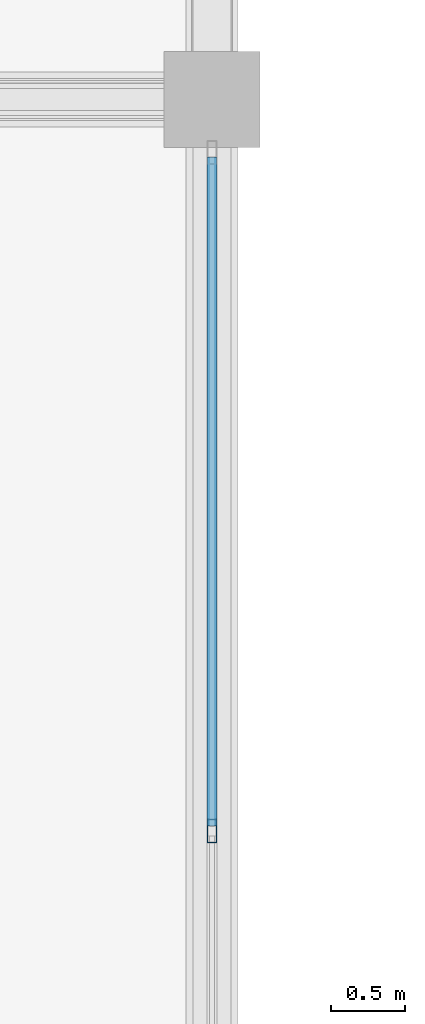
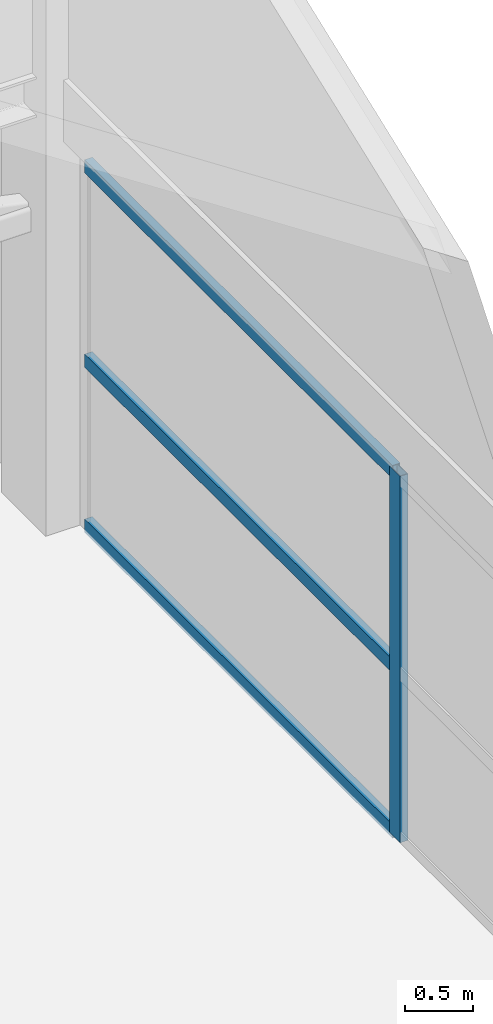
# One storey, part 16 of 35: 4 members, 1 element without a shape of its own.
"""IFC4 building model written with IfcOpenShell, lengths in metres."""

from ifc_helpers import new_model, si_unit, direction, frame, origin, origin_2d, place, context, subcontext, project, spatial, hollow_rectangle, extrude, material, layer, layer_set, material_profile, profile_set, type_object, element, aggregate, save


model = new_model("IFC4")

# Units and contexts
model_context = context("Model", 3, precision=1e-05, world=origin(), true_north=direction((0.0, 1.0)))
body_context = subcontext(model_context, "Body", "Model", "MODEL_VIEW")
ifc_project = project(units=[si_unit("LENGTHUNIT", "METRE"), si_unit("AREAUNIT", "SQUARE_METRE"), si_unit("VOLUMEUNIT", "CUBIC_METRE"), si_unit("PLANEANGLEUNIT", "RADIAN"), si_unit("MASSUNIT", "GRAM", prefix="KILO")], contexts=[model_context])

# Site, building, storey
site_placement = place(None, origin())
site = spatial("IfcSite", under=ifc_project, at=site_placement, CompositionType="ELEMENT")
building_placement = place(site_placement, origin())
building = spatial("IfcBuilding", under=site, at=building_placement, Name="Sillaruma Civic Art Gallery", CompositionType="ELEMENT")
storey_placement = place(building_placement, frame((0.0, 0.0, 74.4599609375)))
storey = spatial("IfcBuildingStorey", under=building, at=storey_placement, Name="L15", CompositionType="ELEMENT", Elevation=74.4599609375)

# Curtain wall, members
ifc_material = material(Name="Thermally Broken Extruded Aluminium 6063-T6", Category="aluminium")
ifc_layer = layer(ifc_material, 0.159912109375, Name="Thermally Broken Extruded Aluminium 6063-T6")
ifc_layer_set = layer_set([ifc_layer], Name="Thermally Broken Extruded Aluminium 6063-T6")
curtain_wall_type = type_object("IfcCurtainWallType", Name="CW-UNI-114", PredefinedType="NOTDEFINED", material=ifc_layer_set)
curtain_wall_placement = place(storey_placement, origin())
curtain_wall = element("IfcCurtainWall", 1, at=curtain_wall_placement, inside=storey, type_object=curtain_wall_type, Name="Unitised Curtain Wall CW-114 (CW-L15-WBE-5)", PredefinedType="NOTDEFINED")
ifc_material_profile_1 = material_profile(ifc_material, hollow_rectangle(XDim=0.06494140625, YDim=0.159912109375, WallThickness=0.00390625, at=origin_2d()), Name="CWM65x160")
ifc_profile_set_1 = profile_set([ifc_material_profile_1], Name="Thermally Broken Extruded Aluminium 6063-T6")
member_type_1 = type_object("IfcMemberType", Name="MEM-MUL-CWM65x160", PredefinedType="MULLION", material=ifc_profile_set_1)
member_1_placement = place(storey_placement, frame((92.0, 64.35009765625, 0.0), z_axis=(0.0, 0.0, 1.0), x_axis=(-1.0, 0.0, 0.0)))
member_1 = element("IfcMember", 2, at=member_1_placement, type_object=member_type_1, Name="CW-114 mullion 2", PredefinedType="MULLION", context=body_context, shape_type="SweptSolid", body=[
    extrude(hollow_rectangle(XDim=0.06494140625, YDim=0.159912109375, WallThickness=0.00390625, at=origin_2d()), origin(), (0.0, 0.0, 1.0), 3.2900390625),
])
ifc_material_profile_2 = material_profile(ifc_material, hollow_rectangle(XDim=0.06494140625, YDim=0.1201171875, WallThickness=0.00341796875, at=origin_2d()), Name="CWT65x120")
ifc_profile_set_2 = profile_set([ifc_material_profile_2], Name="Thermally Broken Extruded Aluminium 6063-T6")
member_type_2 = type_object("IfcMemberType", Name="MEM-TRN-CWT65x120", PredefinedType="USERDEFINED", material=ifc_profile_set_2)
member_2_placement = place(storey_placement, frame((92.0, 64.382568359375, 0.032470703125), z_axis=(0.0, 1.0, 0.0), x_axis=(-1.0, 0.0, 0.0)))
member_2 = element("IfcMember", 3, at=member_2_placement, type_object=member_type_2, Name="CW-114 transom 2.1", ObjectType="TRANSOM", PredefinedType="USERDEFINED", context=body_context, shape_type="SweptSolid", body=[
    extrude(hollow_rectangle(XDim=0.06494140625, YDim=0.1201171875, WallThickness=0.00341796875, at=origin_2d()), origin(), (0.0, 0.0, 1.0), 4.52734375),
])
member_3_placement = place(storey_placement, frame((92.0, 64.382568359375, 1.513427734375), z_axis=(0.0, 1.0, 0.0), x_axis=(-1.0, 0.0, 0.0)))
member_3 = element("IfcMember", 4, at=member_3_placement, type_object=member_type_2, Name="CW-114 transom 2.2", ObjectType="TRANSOM", PredefinedType="USERDEFINED", context=body_context, shape_type="SweptSolid", body=[
    extrude(hollow_rectangle(XDim=0.06494140625, YDim=0.1201171875, WallThickness=0.00341796875, at=origin_2d()), origin(), (0.0, 0.0, 1.0), 4.52734375),
])
member_4_placement = place(storey_placement, frame((92.0, 64.382568359375, 3.257568359375), z_axis=(0.0, 1.0, 0.0), x_axis=(-1.0, 0.0, 0.0)))
member_4 = element("IfcMember", 5, at=member_4_placement, type_object=member_type_2, Name="CW-114 transom 2.3", ObjectType="TRANSOM", PredefinedType="USERDEFINED", context=body_context, shape_type="SweptSolid", body=[
    extrude(hollow_rectangle(XDim=0.06494140625, YDim=0.1201171875, WallThickness=0.00341796875, at=origin_2d()), origin(), (0.0, 0.0, 1.0), 4.52734375),
])
aggregate(curtain_wall, [member_1, member_2, member_3, member_4])

save(model, "model.ifc")
